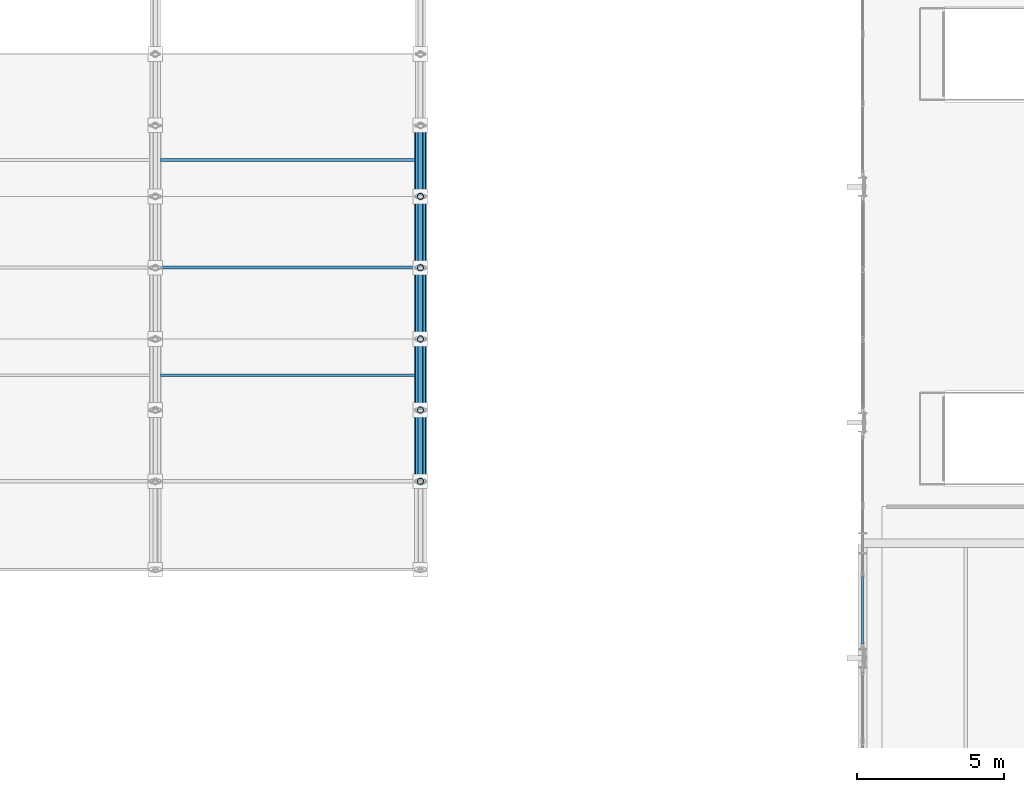
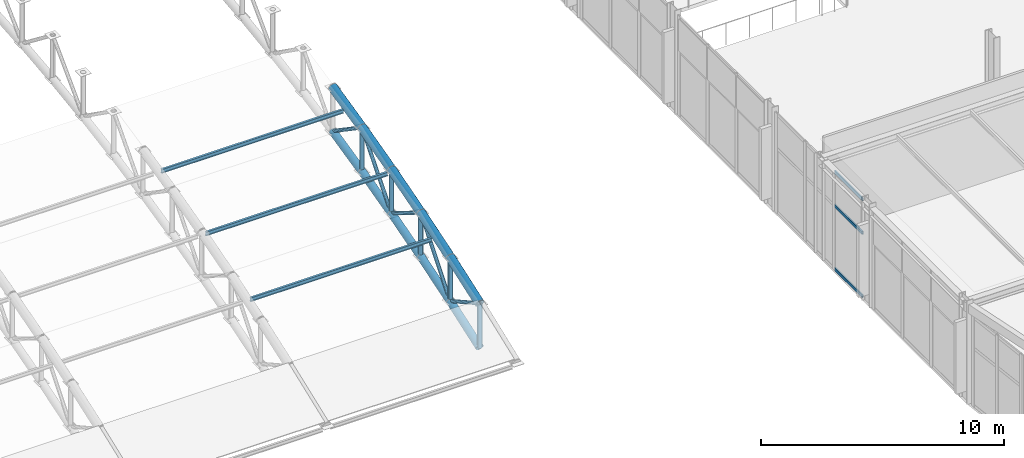
# One storey, part 28 of 195: 26 members, 1 element without a shape of its own.
"""IFC4 building model written with IfcOpenShell, lengths in metres."""

from ifc_helpers import new_model, si_unit, direction, frame, origin, origin_2d, place, context, subcontext, project, spatial, hollow_rectangle, hollow_circle, i_section, extrude, material, layer, layer_set, material_profile, profile_set, type_object, element, aggregate, save


model = new_model("IFC4")

# Units and contexts
model_context = context("Model", 3, precision=1e-05, world=origin(), true_north=direction((0.0, 1.0)))
body_context = subcontext(model_context, "Body", "Model", "MODEL_VIEW")
ifc_project = project(units=[si_unit("LENGTHUNIT", "METRE"), si_unit("AREAUNIT", "SQUARE_METRE"), si_unit("VOLUMEUNIT", "CUBIC_METRE"), si_unit("PLANEANGLEUNIT", "RADIAN"), si_unit("MASSUNIT", "GRAM", prefix="KILO")], contexts=[model_context])

# Site, building, storey
site_placement = place(None, origin())
site = spatial("IfcSite", under=ifc_project, at=site_placement, CompositionType="ELEMENT")
building_placement = place(site_placement, origin())
building = spatial("IfcBuilding", under=site, at=building_placement, Name="Marlcrest Central Station", CompositionType="ELEMENT")
storey_placement = place(building_placement, frame((0.0, 0.0, 9.800048828125)))
storey = spatial("IfcBuildingStorey", under=building, at=storey_placement, Name="L02", CompositionType="ELEMENT", Elevation=9.800048828125)

# Members
ifc_material_1 = material(Name="Steel S355", Category="steel")
ifc_material_profile_1 = material_profile(ifc_material_1, hollow_circle(Radius=0.203125, WallThickness=0.02001953125, at=origin_2d()), Name="CHS 406.4x20")
ifc_profile_set_1 = profile_set([ifc_material_profile_1], Name="Steel S355")
member_type_1 = type_object("IfcMemberType", Name="AC-01", PredefinedType="CHORD", material=ifc_profile_set_1)
member_1_placement = place(storey_placement, frame((72.0, 36.5, 1.599853515625), z_axis=(0.0, 0.94353735649, 0.331266142109), x_axis=(-1.0, 0.0, 0.0)))
element("IfcMember", 1, at=member_1_placement, inside=storey, type_object=member_type_1, Name="mem-AC-01-L02-00991", PredefinedType="CHORD", context=body_context, shape_type="SweptSolid", body=[
    extrude(hollow_circle(Radius=0.203125, WallThickness=0.02001953125, at=origin_2d()), origin(), (0.0, 0.0, 1.0), 2.564697265625),
])
member_2_placement = place(storey_placement, frame((72.0, 38.919921875, 2.449462890625), z_axis=(0.0, 0.952116828449, 0.305734435391), x_axis=(-1.0, 0.0, 0.0)))
element("IfcMember", 2, at=member_2_placement, inside=storey, type_object=member_type_1, Name="mem-AC-01-L02-00995", PredefinedType="CHORD", context=body_context, shape_type="SweptSolid", body=[
    extrude(hollow_circle(Radius=0.203125, WallThickness=0.02001953125, at=origin_2d()), origin(), (0.0, 0.0, 1.0), 2.53125),
])
member_3_placement = place(storey_placement, frame((72.0, 41.330078125, 3.223388671875), z_axis=(0.0, 0.960130083362, 0.27955361386), x_axis=(-1.0, 0.0, 0.0)))
element("IfcMember", 3, at=member_3_placement, inside=storey, type_object=member_type_1, Name="mem-AC-01-L02-00999", PredefinedType="CHORD", context=body_context, shape_type="SweptSolid", body=[
    extrude(hollow_circle(Radius=0.203125, WallThickness=0.02001953125, at=origin_2d()), origin(), (0.0, 0.0, 1.0), 2.5205078125),
])
member_4_placement = place(storey_placement, frame((72.0, 43.75, 3.927978515625), z_axis=(0.0, 0.967539481681, 0.252719906989), x_axis=(-1.0, 0.0, 0.0)))
element("IfcMember", 4, at=member_4_placement, inside=storey, type_object=member_type_1, Name="mem-AC-01-L02-01003", PredefinedType="CHORD", context=body_context, shape_type="SweptSolid", body=[
    extrude(hollow_circle(Radius=0.203125, WallThickness=0.02001953125, at=origin_2d()), origin(), (0.0, 0.0, 1.0), 2.501220703125),
])
member_5_placement = place(storey_placement, frame((72.0, 46.169921875, 4.56005859375), z_axis=(0.0, 0.974329612642, 0.225126200004), x_axis=(-1.0, 0.0, 0.0)))
element("IfcMember", 5, at=member_5_placement, inside=storey, type_object=member_type_1, Name="mem-AC-01-L02-01007", PredefinedType="CHORD", context=body_context, shape_type="SweptSolid", body=[
    extrude(hollow_circle(Radius=0.203125, WallThickness=0.02001953125, at=origin_2d()), origin(), (0.0, 0.0, 1.0), 2.4736328125),
])
ifc_material_profile_2 = material_profile(ifc_material_1, hollow_circle(Radius=0.177734375, WallThickness=0.01611328125, at=origin_2d()), Name="CHS 355.6x16")
ifc_profile_set_2 = profile_set([ifc_material_profile_2], Name="Steel S355")
member_type_2 = type_object("IfcMemberType", Name="AC-02", PredefinedType="CHORD", material=ifc_profile_set_2)
member_6_placement = place(storey_placement, frame((72.0, 36.5, -0.60009765625), z_axis=(0.0, 0.94353735649, 0.331266142109), x_axis=(-1.0, 0.0, 0.0)))
element("IfcMember", 6, at=member_6_placement, inside=storey, type_object=member_type_2, Name="mem-AC-02-L02-00992", PredefinedType="CHORD", context=body_context, shape_type="SweptSolid", body=[
    extrude(hollow_circle(Radius=0.177734375, WallThickness=0.01611328125, at=origin_2d()), origin(), (0.0, 0.0, 1.0), 2.564697265625),
])
member_7_placement = place(storey_placement, frame((72.0, 38.919921875, 0.24951171875), z_axis=(0.0, 0.952116828449, 0.305734435391), x_axis=(-1.0, 0.0, 0.0)))
element("IfcMember", 7, at=member_7_placement, inside=storey, type_object=member_type_2, Name="mem-AC-02-L02-00996", PredefinedType="CHORD", context=body_context, shape_type="SweptSolid", body=[
    extrude(hollow_circle(Radius=0.177734375, WallThickness=0.01611328125, at=origin_2d()), origin(), (0.0, 0.0, 1.0), 2.53125),
])
member_8_placement = place(storey_placement, frame((72.0, 41.330078125, 1.0234375), z_axis=(0.0, 0.960130083362, 0.27955361386), x_axis=(-1.0, 0.0, 0.0)))
element("IfcMember", 8, at=member_8_placement, inside=storey, type_object=member_type_2, Name="mem-AC-02-L02-01000", PredefinedType="CHORD", context=body_context, shape_type="SweptSolid", body=[
    extrude(hollow_circle(Radius=0.177734375, WallThickness=0.01611328125, at=origin_2d()), origin(), (0.0, 0.0, 1.0), 2.5205078125),
])
member_9_placement = place(storey_placement, frame((72.0, 43.75, 1.72802734375), z_axis=(0.0, 0.967563345928, 0.252628524946), x_axis=(-1.0, 0.0, 0.0)))
element("IfcMember", 9, at=member_9_placement, inside=storey, type_object=member_type_2, Name="mem-AC-02-L02-01004", PredefinedType="CHORD", context=body_context, shape_type="SweptSolid", body=[
    extrude(hollow_circle(Radius=0.177734375, WallThickness=0.01611328125, at=origin_2d()), origin(), (0.0, 0.0, 1.0), 2.5009765625),
])
member_10_placement = place(storey_placement, frame((72.0, 46.169921875, 2.35986328125), z_axis=(0.0, 0.974307959875, 0.225219891049), x_axis=(-1.0, 0.0, 0.0)))
element("IfcMember", 10, at=member_10_placement, inside=storey, type_object=member_type_2, Name="mem-AC-02-L02-01008", PredefinedType="CHORD", context=body_context, shape_type="SweptSolid", body=[
    extrude(hollow_circle(Radius=0.177734375, WallThickness=0.01611328125, at=origin_2d()), origin(), (0.0, 0.0, 1.0), 2.4736328125),
])
ifc_material_profile_3 = material_profile(ifc_material_1, hollow_circle(Radius=0.084228515625, WallThickness=0.010009765625, at=origin_2d()), Name="CHS 168.3x10")
ifc_profile_set_3 = profile_set([ifc_material_profile_3], Name="Steel S355")
member_type_3 = type_object("IfcMemberType", Name="AD-01", PredefinedType="BRACE", material=ifc_profile_set_3)
member_11_placement = place(storey_placement, frame((72.0, 36.5, 1.599853515625), z_axis=(0.0, 0.873245653167, -0.487280236851), x_axis=(-1.0, 0.0, 0.0)))
element("IfcMember", 11, at=member_11_placement, inside=storey, type_object=member_type_3, Name="mem-AD-01-L02-00994", PredefinedType="BRACE", context=body_context, shape_type="SweptSolid", body=[
    extrude(hollow_circle(Radius=0.084228515625, WallThickness=0.010009765625, at=origin_2d()), origin(), (0.0, 0.0, 1.0), 2.771240234375),
])
member_12_placement = place(storey_placement, frame((72.0, 38.919921875, 0.24951171875), z_axis=(0.0, 0.62962929743, 0.776895712318), x_axis=(-1.0, 0.0, 0.0)))
element("IfcMember", 12, at=member_12_placement, inside=storey, type_object=member_type_3, Name="mem-AD-01-L02-00998", PredefinedType="BRACE", context=body_context, shape_type="SweptSolid", body=[
    extrude(hollow_circle(Radius=0.084228515625, WallThickness=0.010009765625, at=origin_2d()), origin(), (0.0, 0.0, 1.0), 3.827880859375),
])
member_13_placement = place(storey_placement, frame((72.0, 41.330078125, 3.223388671875), z_axis=(0.0, 0.850687380038, -0.525671933286), x_axis=(-1.0, 0.0, 0.0)))
element("IfcMember", 13, at=member_13_placement, inside=storey, type_object=member_type_3, Name="mem-AD-01-L02-01002", PredefinedType="BRACE", context=body_context, shape_type="SweptSolid", body=[
    extrude(hollow_circle(Radius=0.084228515625, WallThickness=0.010009765625, at=origin_2d()), origin(), (0.0, 0.0, 1.0), 2.8447265625),
])
member_14_placement = place(storey_placement, frame((72.0, 43.75, 1.72802734375), z_axis=(0.0, 0.649624779144, 0.760254987699), x_axis=(-1.0, 0.0, 0.0)))
element("IfcMember", 14, at=member_14_placement, inside=storey, type_object=member_type_3, Name="mem-AD-01-L02-01006", PredefinedType="BRACE", context=body_context, shape_type="SweptSolid", body=[
    extrude(hollow_circle(Radius=0.084228515625, WallThickness=0.010009765625, at=origin_2d()), origin(), (0.0, 0.0, 1.0), 3.72509765625),
])
member_15_placement = place(storey_placement, frame((72.0, 46.169921875, 4.56005859375), z_axis=(0.0, 0.82626275624, -0.563284881432), x_axis=(-1.0, 0.0, 0.0)))
element("IfcMember", 15, at=member_15_placement, inside=storey, type_object=member_type_3, Name="mem-AD-01-L02-01010", PredefinedType="BRACE", context=body_context, shape_type="SweptSolid", body=[
    extrude(hollow_circle(Radius=0.084228515625, WallThickness=0.010009765625, at=origin_2d()), origin(), (0.0, 0.0, 1.0), 2.9169921875),
])
ifc_material_profile_4 = material_profile(ifc_material_1, hollow_circle(Radius=0.109619140625, WallThickness=0.012451171875, at=origin_2d()), Name="CHS 219.1x12.5")
ifc_profile_set_4 = profile_set([ifc_material_profile_4], Name="Steel S355")
member_type_4 = type_object("IfcMemberType", Name="AP-01", PredefinedType="POST", material=ifc_profile_set_4)
for number, where, z_axis, x_axis, name in (
    (16, (72.0, 36.5, -0.60009765625), (0.0, 0.0, 1.0), (1.0, 0.0, 0.0), "mem-AP-01-L02-00993"),
    (17, (72.0, 38.919921875, 0.24951171875), (0.0, 0.0, 1.0), (1.0, 0.0, 0.0), "mem-AP-01-L02-00997"),
    (18, (72.0, 41.330078125, 1.0234375), (0.0, 0.0, 1.0), (1.0, 0.0, 0.0), "mem-AP-01-L02-01001"),
    (19, (72.0, 43.75, 1.72802734375), (0.0, 0.0, 1.0), (1.0, 0.0, 0.0), "mem-AP-01-L02-01005"),
):
    element("IfcMember", number, at=place(storey_placement, frame(where, z_axis=z_axis, x_axis=x_axis)), inside=storey, type_object=member_type_4, Name=name, PredefinedType="POST", context=body_context, shape_type="SweptSolid", body=[
        extrude(hollow_circle(Radius=0.109619140625, WallThickness=0.012451171875, at=origin_2d()), origin(), (0.0, 0.0, 1.0), 2.199951171875),
    ])
member_16_placement = place(storey_placement, frame((72.0, 46.169921875, 2.35986328125), z_axis=(0.0, 0.0, 1.0), x_axis=(1.0, 0.0, 0.0)))
element("IfcMember", 20, at=member_16_placement, inside=storey, type_object=member_type_4, Name="mem-AP-01-L02-01009", PredefinedType="POST", context=body_context, shape_type="SweptSolid", body=[
    extrude(hollow_circle(Radius=0.109619140625, WallThickness=0.012451171875, at=origin_2d()), origin(), (0.0, 0.0, 1.0), 2.2001953125),
])
ifc_material_profile_5 = material_profile(ifc_material_1, i_section(OverallWidth=0.10009765625, OverallDepth=0.199951171875, WebThickness=0.005615234375, FlangeThickness=0.008544921875, FilletRadius=0.011962890625, at=origin_2d()), Name="IPE 200")
ifc_profile_set_5 = profile_set([ifc_material_profile_5], Name="Steel S355")
member_type_5 = type_object("IfcMemberType", Name="PR-01", PredefinedType="PURLIN", material=ifc_profile_set_5)
for number, where, z_axis, x_axis, name in (
    (21, (63.179931640625, 40.10009765625, 2.697509765625), (1.0, 0.0, 0.0), (0.0, 1.0, 0.0), "mem-PR-01-L02-00976"),
    (22, (63.179931640625, 43.75, 3.7880859375), (1.0, 0.0, 0.0), (0.0, 1.0, 0.0), "mem-PR-01-L02-00977"),
    (23, (63.179931640625, 47.39990234375, 4.713134765625), (1.0, 0.0, 0.0), (0.0, 1.0, 0.0), "mem-PR-01-L02-00978"),
):
    element("IfcMember", number, at=place(storey_placement, frame(where, z_axis=z_axis, x_axis=x_axis)), inside=storey, type_object=member_type_5, Name=name, PredefinedType="PURLIN", context=body_context, shape_type="SweptSolid", body=[
        extrude(i_section(OverallWidth=0.10009765625, OverallDepth=0.199951171875, WebThickness=0.005615234375, FlangeThickness=0.008544921875, FilletRadius=0.011962890625, at=origin_2d()), origin(), (0.0, 0.0, 1.0), 8.64013671875),
    ])

# Curtain wall, members
ifc_material_2 = material(Name="Anodised aluminium and hurricane laminated glass", Category="aluminium")
ifc_layer = layer(ifc_material_2, 0.219970703125, Name="CW-U1")
ifc_layer_set = layer_set([ifc_layer], Name="Anodised aluminium and hurricane laminated glass")
curtain_wall_type = type_object("IfcCurtainWallType", Name="CW-U1", PredefinedType="USERDEFINED", material=ifc_layer_set)
curtain_wall_placement = place(storey_placement, origin())
curtain_wall = element("IfcCurtainWall", 24, at=curtain_wall_placement, inside=storey, type_object=curtain_wall_type, Name="cw-L02-0103", ObjectType="UNITISED_CURTAIN_WALL", PredefinedType="USERDEFINED")
ifc_material_3 = material(Name="Anodised aluminium 6063-T6", Category="aluminium")
ifc_material_profile_6 = material_profile(ifc_material_3, hollow_rectangle(XDim=0.06005859375, YDim=0.14990234375, WallThickness=0.00390625, at=origin_2d()), Name="AA-RHS 150x60x4")
ifc_profile_set_6 = profile_set([ifc_material_profile_6], Name="Anodised aluminium 6063-T6")
member_type_6 = type_object("IfcMemberType", Name="TR-01", PredefinedType="USERDEFINED", material=ifc_profile_set_6)
member_17_placement = place(storey_placement, frame((87.0, 30.988037109375, 0.0400390625), z_axis=(0.0, 1.0, 0.0), x_axis=(-1.0, 0.0, 0.0)))
member_17 = element("IfcMember", 25, at=member_17_placement, type_object=member_type_6, Name="cw-L02-0103-tr-0-sill", ObjectType="TRANSOM", PredefinedType="USERDEFINED", context=body_context, shape_type="SweptSolid", body=[
    extrude(hollow_rectangle(XDim=0.06005859375, YDim=0.14990234375, WallThickness=0.00390625, at=origin_2d()), origin(), (0.0, 0.0, 1.0), 2.290771484375),
])
member_18_placement = place(storey_placement, frame((87.0, 30.988037109375, 3.218017578125), z_axis=(0.0, 1.0, 0.0), x_axis=(-1.0, 0.0, 0.0)))
member_18 = element("IfcMember", 26, at=member_18_placement, type_object=member_type_6, Name="cw-L02-0103-tr-0-mid", ObjectType="TRANSOM", PredefinedType="USERDEFINED", context=body_context, shape_type="SweptSolid", body=[
    extrude(hollow_rectangle(XDim=0.06005859375, YDim=0.14990234375, WallThickness=0.00390625, at=origin_2d()), origin(), (0.0, 0.0, 1.0), 2.290771484375),
])
member_19_placement = place(storey_placement, frame((87.0, 30.988037109375, 4.909912109375), z_axis=(0.0, 1.0, 0.0), x_axis=(-1.0, 0.0, 0.0)))
member_19 = element("IfcMember", 27, at=member_19_placement, type_object=member_type_6, Name="cw-L02-0103-tr-0-head", ObjectType="TRANSOM", PredefinedType="USERDEFINED", context=body_context, shape_type="SweptSolid", body=[
    extrude(hollow_rectangle(XDim=0.06005859375, YDim=0.14990234375, WallThickness=0.00390625, at=origin_2d()), origin(), (0.0, 0.0, 1.0), 2.290771484375),
])
aggregate(curtain_wall, [member_17, member_18, member_19])

save(model, "model.ifc")
